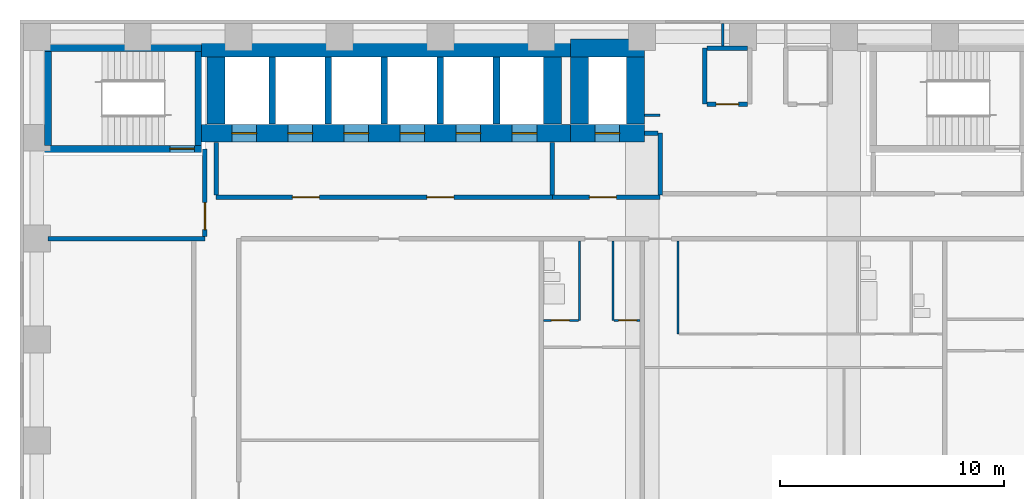
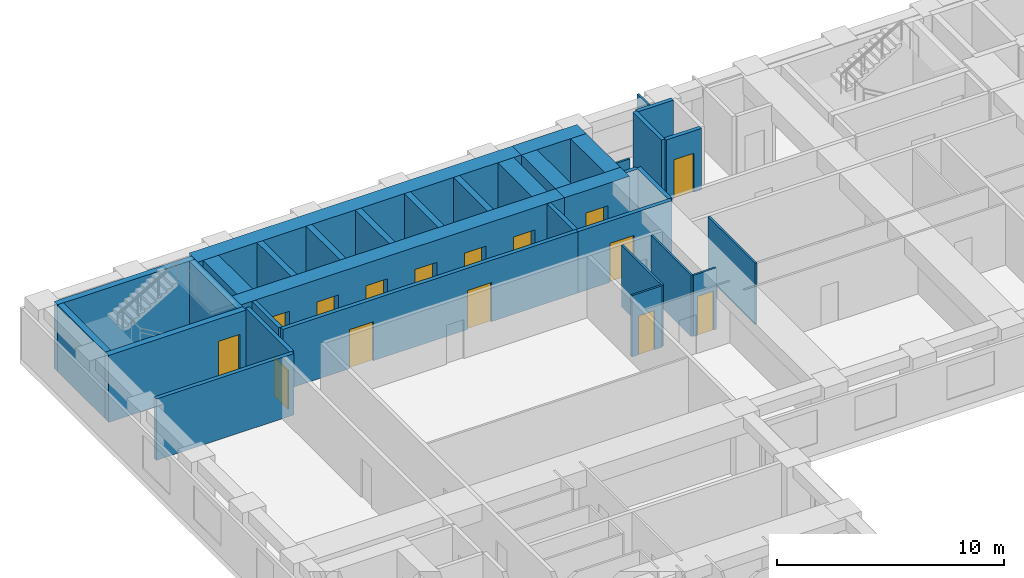
# One storey, part 5 of 11: 35 walls, 15 doors, 15 openings.
"""IFC4 building model written with IfcOpenShell, lengths in metres."""

from ifc_helpers import new_model, si_unit, direction, frame, frame_2d, origin, place, context, subcontext, project, spatial, rectangle, extrude, material, layer, layer_set, type_object, element, fill, save


model = new_model("IFC4")

# Units and contexts
model_context = context("Model", 3, precision=1e-05, world=origin(), true_north=direction((0.0, 1.0)))
body_context = subcontext(model_context, "Body", "Model", "MODEL_VIEW")
ifc_project = project(units=[si_unit("LENGTHUNIT", "METRE"), si_unit("AREAUNIT", "SQUARE_METRE"), si_unit("VOLUMEUNIT", "CUBIC_METRE"), si_unit("PLANEANGLEUNIT", "RADIAN"), si_unit("MASSUNIT", "GRAM", prefix="KILO")], contexts=[model_context])

# Site, building, storey
site_placement = place(None, origin())
site = spatial("IfcSite", under=ifc_project, at=site_placement, CompositionType="ELEMENT")
building_placement = place(site_placement, origin())
building = spatial("IfcBuilding", under=site, at=building_placement, Name="Firuza Court", CompositionType="ELEMENT")
storey_placement = place(building_placement, frame((0.0, 0.0, 61.39990234375)))
storey = spatial("IfcBuildingStorey", under=building, at=storey_placement, Name="L14", CompositionType="ELEMENT", Elevation=61.39990234375)

# Wall
ifc_material_1 = material(Name="Moisture-resistant gypsum board partition")
ifc_layer_1 = layer(ifc_material_1, 0.10009765625)
ifc_layer_set_1 = layer_set([ifc_layer_1], Name="Moisture-resistant gypsum board partition")
wall_type_1 = type_object("IfcWallType", Name="Bathroom partition 100", PredefinedType="PLUMBINGWALL", material=ifc_layer_set_1)
wall_1_placement = place(storey_placement, frame((24.199951171875, 45.85009765625, 0.0), z_axis=(0.0, 0.0, 1.0), x_axis=(0.0, 1.0, 0.0)))
element("IfcWall", 1, at=wall_1_placement, inside=storey, type_object=wall_type_1, Name="Bathroom partition 100 L14", PredefinedType="PLUMBINGWALL", context=body_context, shape_type="SweptSolid", body=[
    extrude(rectangle(XDim=3.5498046875, YDim=0.10009765625, at=frame_2d((1.77490234375, 0.0))), origin(), (0.0, 0.0, 1.0), 3.300048828125),
])

# Wall, opening, door
ifc_material_2 = material(Name="Concrete C60/75", Category="concrete")
ifc_layer_2 = layer(ifc_material_2, 0.300048828125)
ifc_layer_set_2 = layer_set([ifc_layer_2], Name="Concrete C60/75")
wall_type_2 = type_object("IfcWallType", Name="Core wall 300 C60/75", PredefinedType="SHEAR", material=ifc_layer_set_2)
wall_2_placement = place(storey_placement, frame((0.35009765625, 53.5, -0.2998046875), z_axis=(0.0, 0.0, 1.0), x_axis=(1.0, 0.0, 0.0)))
wall_2 = element("IfcWall", 2, at=wall_2_placement, inside=storey, type_object=wall_type_2, Name="Core wall stair L14", PredefinedType="SHEAR", context=body_context, shape_type="SweptSolid", body=[
    extrude(rectangle(XDim=7.0, YDim=0.300048828125, at=frame_2d((3.5, 0.0))), origin(), (0.0, 0.0, 1.0), 3.599853515625),
])
opening_1_placement = place(wall_2_placement, frame((5.580078125, 0.0, 0.300048828125)))
opening_1 = element("IfcOpeningElement", 3, at=opening_1_placement, cuts=wall_2, Name="Opening D14016", PredefinedType="OPENING", context=body_context, shape_type="SweptSolid", body=[
    extrude(rectangle(XDim=1.10009765625, YDim=2.10009765625, at=frame_2d((0.550048828125, 1.050048828125))), frame((0.0, 0.162109375, 0.0), z_axis=(0.0, -1.0, 0.0), x_axis=(1.0, 0.0, 0.0)), (0.0, 0.0, 1.0), 0.323974609375),
])
ifc_material_3 = material(Name="Timber door leaf in hardwood frame", Category="wood")
door_type_1 = type_object("IfcDoorType", Name="Stair door 1100", OperationType="SINGLE_SWING_LEFT", PredefinedType="DOOR", material=ifc_material_3)
door_1_placement = place(opening_1_placement, origin())
door_1 = element("IfcDoor", 4, at=door_1_placement, inside=storey, type_object=door_type_1, Name="Stair door S3", OperationType="SINGLE_SWING_RIGHT", OverallHeight=2.10009765625, OverallWidth=1.10009765625, PredefinedType="DOOR", context=body_context, shape_type="SweptSolid", body=[
    extrude(rectangle(XDim=1.10009765625, YDim=2.10009765625, at=frame_2d((0.550048828125, 1.050048828125))), frame((0.0, 0.02490234375, 0.0), z_axis=(0.0, -1.0, 0.0), x_axis=(1.0, 0.0, 0.0)), (0.0, 0.0, 1.0), 0.050048828125),
])
fill(opening_1, door_1)

# Walls
wall_3_placement = place(storey_placement, frame((0.35009765625, 58.0, -0.2998046875), z_axis=(0.0, 0.0, 1.0), x_axis=(1.0, 0.0, 0.0)))
element("IfcWall", 5, at=wall_3_placement, inside=storey, type_object=wall_type_2, Name="Core wall stair L14", PredefinedType="SHEAR", context=body_context, shape_type="SweptSolid", body=[
    extrude(rectangle(XDim=7.0, YDim=0.300048828125, at=frame_2d((3.5, 0.0))), origin(), (0.0, 0.0, 1.0), 3.599853515625),
])
for number, where, z_axis, x_axis, name in (
    (6, (0.5, 53.64990234375, -0.2998046875), (0.0, 0.0, 1.0), (0.0, 1.0, 0.0), "Core wall stair L14"),
    (7, (7.199951171875, 53.64990234375, -0.2998046875), (0.0, 0.0, 1.0), (0.0, 1.0, 0.0), "Core wall stair L14"),
):
    element("IfcWall", number, at=place(storey_placement, frame(where, z_axis=z_axis, x_axis=x_axis)), inside=storey, type_object=wall_type_2, Name=name, PredefinedType="SHEAR", context=body_context, shape_type="SweptSolid", body=[
        extrude(rectangle(XDim=4.2001953125, YDim=0.300048828125, at=frame_2d((2.10009765625, 0.0))), origin(), (0.0, 0.0, 1.0), 3.599853515625),
    ])
for number, where, z_axis, x_axis, name in (
    (8, (10.5, 54.60009765625, -0.2998046875), (0.0, 0.0, 1.0), (0.0, 1.0, 0.0), "Core wall lift shaft L14"),
    (9, (13.0, 54.60009765625, -0.2998046875), (0.0, 0.0, 1.0), (0.0, 1.0, 0.0), "Core wall lift shaft L14"),
    (10, (15.5, 54.60009765625, -0.2998046875), (0.0, 0.0, 1.0), (0.0, 1.0, 0.0), "Core wall lift shaft L14"),
    (11, (18.0, 54.60009765625, -0.2998046875), (0.0, 0.0, 1.0), (0.0, 1.0, 0.0), "Core wall lift shaft L14"),
    (12, (20.5, 54.60009765625, -0.2998046875), (0.0, 0.0, 1.0), (0.0, 1.0, 0.0), "Core wall lift shaft L14"),
):
    element("IfcWall", number, at=place(storey_placement, frame(where, z_axis=z_axis, x_axis=x_axis)), inside=storey, type_object=wall_type_2, Name=name, PredefinedType="SHEAR", context=body_context, shape_type="SweptSolid", body=[
        extrude(rectangle(XDim=3.0, YDim=0.300048828125, at=frame_2d((1.5, 0.0))), origin(), (0.0, 0.0, 1.0), 3.599853515625),
    ])

# Wall, openings, doors
ifc_layer_3 = layer(ifc_material_2, 0.800048828125)
ifc_layer_set_3 = layer_set([ifc_layer_3], Name="Concrete C60/75")
wall_type_3 = type_object("IfcWallType", Name="Core wall 800 C60/75", PredefinedType="SHEAR", material=ifc_layer_set_3)
wall_4_placement = place(storey_placement, frame((7.35009765625, 54.199951171875, -0.2998046875), z_axis=(0.0, 0.0, 1.0), x_axis=(1.0, 0.0, 0.0)))
wall_4 = element("IfcWall", 13, at=wall_4_placement, inside=storey, type_object=wall_type_3, Name="Core wall lift shaft L14", PredefinedType="SHEAR", context=body_context, shape_type="SweptSolid", body=[
    extrude(rectangle(XDim=16.449951171875, YDim=0.800048828125, at=frame_2d((8.22509765625, 0.0))), origin(), (0.0, 0.0, 1.0), 3.599853515625),
])
opening_2_placement = place(wall_4_placement, frame((1.35009765625, 0.0, 0.300048828125)))
opening_2 = element("IfcOpeningElement", 14, at=opening_2_placement, cuts=wall_4, Name="Opening LD-LB1-14", PredefinedType="OPENING", context=body_context, shape_type="SweptSolid", body=[
    extrude(rectangle(XDim=1.10009765625, YDim=2.10009765625, at=frame_2d((0.550048828125, 1.050048828125))), frame((0.0, 0.412109375, 0.0), z_axis=(0.0, -1.0, 0.0), x_axis=(1.0, 0.0, 0.0)), (0.0, 0.0, 1.0), 0.823974609375),
])
opening_3_placement = place(wall_4_placement, frame((3.85009765625, 0.0, 0.300048828125)))
opening_3 = element("IfcOpeningElement", 15, at=opening_3_placement, cuts=wall_4, Name="Opening LD-LB2-14", PredefinedType="OPENING", context=body_context, shape_type="SweptSolid", body=[
    extrude(rectangle(XDim=1.10009765625, YDim=2.10009765625, at=frame_2d((0.550048828125, 1.050048828125))), frame((0.0, 0.412109375, 0.0), z_axis=(0.0, -1.0, 0.0), x_axis=(1.0, 0.0, 0.0)), (0.0, 0.0, 1.0), 0.823974609375),
])
opening_4_placement = place(wall_4_placement, frame((6.35009765625, 0.0, 0.300048828125)))
opening_4 = element("IfcOpeningElement", 16, at=opening_4_placement, cuts=wall_4, Name="Opening LD-LB3-14", PredefinedType="OPENING", context=body_context, shape_type="SweptSolid", body=[
    extrude(rectangle(XDim=1.10009765625, YDim=2.10009765625, at=frame_2d((0.550048828125, 1.050048828125))), frame((0.0, 0.412109375, 0.0), z_axis=(0.0, -1.0, 0.0), x_axis=(1.0, 0.0, 0.0)), (0.0, 0.0, 1.0), 0.823974609375),
])
opening_5_placement = place(wall_4_placement, frame((8.85009765625, 0.0, 0.300048828125)))
opening_5 = element("IfcOpeningElement", 17, at=opening_5_placement, cuts=wall_4, Name="Opening LD-LB4-14", PredefinedType="OPENING", context=body_context, shape_type="SweptSolid", body=[
    extrude(rectangle(XDim=1.10009765625, YDim=2.10009765625, at=frame_2d((0.550048828125, 1.050048828125))), frame((0.0, 0.412109375, 0.0), z_axis=(0.0, -1.0, 0.0), x_axis=(1.0, 0.0, 0.0)), (0.0, 0.0, 1.0), 0.823974609375),
])
opening_6_placement = place(wall_4_placement, frame((11.35009765625, 0.0, 0.300048828125)))
opening_6 = element("IfcOpeningElement", 18, at=opening_6_placement, cuts=wall_4, Name="Opening LD-LB5-14", PredefinedType="OPENING", context=body_context, shape_type="SweptSolid", body=[
    extrude(rectangle(XDim=1.10009765625, YDim=2.10009765625, at=frame_2d((0.550048828125, 1.050048828125))), frame((0.0, 0.412109375, 0.0), z_axis=(0.0, -1.0, 0.0), x_axis=(1.0, 0.0, 0.0)), (0.0, 0.0, 1.0), 0.823974609375),
])
opening_7_placement = place(wall_4_placement, frame((13.85009765625, 0.0, 0.300048828125)))
opening_7 = element("IfcOpeningElement", 19, at=opening_7_placement, cuts=wall_4, Name="Opening LD-LB6-14", PredefinedType="OPENING", context=body_context, shape_type="SweptSolid", body=[
    extrude(rectangle(XDim=1.10009765625, YDim=2.10009765625, at=frame_2d((0.550048828125, 1.050048828125))), frame((0.0, 0.412109375, 0.0), z_axis=(0.0, -1.0, 0.0), x_axis=(1.0, 0.0, 0.0)), (0.0, 0.0, 1.0), 0.823974609375),
])
ifc_material_4 = material(Name="Stainless steel 1.4301 door leaf", Category="steel")
door_type_2 = type_object("IfcDoorType", Name="Lift landing door 1100", OperationType="SLIDING_TO_LEFT", PredefinedType="DOOR", material=ifc_material_4)
door_2_placement = place(opening_2_placement, origin())
door_2 = element("IfcDoor", 20, at=door_2_placement, inside=storey, type_object=door_type_2, Name="Landing door LB1", OperationType="SLIDING_TO_LEFT", OverallHeight=2.10009765625, OverallWidth=1.10009765625, PredefinedType="DOOR", context=body_context, shape_type="SweptSolid", body=[
    extrude(rectangle(XDim=1.10009765625, YDim=2.10009765625, at=frame_2d((0.550048828125, 1.050048828125))), frame((0.0, 0.02490234375, 0.0), z_axis=(0.0, -1.0, 0.0), x_axis=(1.0, 0.0, 0.0)), (0.0, 0.0, 1.0), 0.050048828125),
])
fill(opening_2, door_2)
door_3_placement = place(opening_3_placement, origin())
door_3 = element("IfcDoor", 21, at=door_3_placement, inside=storey, type_object=door_type_2, Name="Landing door LB2", OperationType="SLIDING_TO_LEFT", OverallHeight=2.10009765625, OverallWidth=1.10009765625, PredefinedType="DOOR", context=body_context, shape_type="SweptSolid", body=[
    extrude(rectangle(XDim=1.10009765625, YDim=2.10009765625, at=frame_2d((0.550048828125, 1.050048828125))), frame((0.0, 0.02490234375, 0.0), z_axis=(0.0, -1.0, 0.0), x_axis=(1.0, 0.0, 0.0)), (0.0, 0.0, 1.0), 0.050048828125),
])
fill(opening_3, door_3)
door_4_placement = place(opening_4_placement, origin())
door_4 = element("IfcDoor", 22, at=door_4_placement, inside=storey, type_object=door_type_2, Name="Landing door LB3", OperationType="SLIDING_TO_LEFT", OverallHeight=2.10009765625, OverallWidth=1.10009765625, PredefinedType="DOOR", context=body_context, shape_type="SweptSolid", body=[
    extrude(rectangle(XDim=1.10009765625, YDim=2.10009765625, at=frame_2d((0.550048828125, 1.050048828125))), frame((0.0, 0.02490234375, 0.0), z_axis=(0.0, -1.0, 0.0), x_axis=(1.0, 0.0, 0.0)), (0.0, 0.0, 1.0), 0.050048828125),
])
fill(opening_4, door_4)
door_5_placement = place(opening_5_placement, origin())
door_5 = element("IfcDoor", 23, at=door_5_placement, inside=storey, type_object=door_type_2, Name="Landing door LB4", OperationType="SLIDING_TO_LEFT", OverallHeight=2.10009765625, OverallWidth=1.10009765625, PredefinedType="DOOR", context=body_context, shape_type="SweptSolid", body=[
    extrude(rectangle(XDim=1.10009765625, YDim=2.10009765625, at=frame_2d((0.550048828125, 1.050048828125))), frame((0.0, 0.02490234375, 0.0), z_axis=(0.0, -1.0, 0.0), x_axis=(1.0, 0.0, 0.0)), (0.0, 0.0, 1.0), 0.050048828125),
])
fill(opening_5, door_5)
door_6_placement = place(opening_6_placement, origin())
door_6 = element("IfcDoor", 24, at=door_6_placement, inside=storey, type_object=door_type_2, Name="Landing door LB5", OperationType="SLIDING_TO_LEFT", OverallHeight=2.10009765625, OverallWidth=1.10009765625, PredefinedType="DOOR", context=body_context, shape_type="SweptSolid", body=[
    extrude(rectangle(XDim=1.10009765625, YDim=2.10009765625, at=frame_2d((0.550048828125, 1.050048828125))), frame((0.0, 0.02490234375, 0.0), z_axis=(0.0, -1.0, 0.0), x_axis=(1.0, 0.0, 0.0)), (0.0, 0.0, 1.0), 0.050048828125),
])
fill(opening_6, door_6)
door_7_placement = place(opening_7_placement, origin())
door_7 = element("IfcDoor", 25, at=door_7_placement, inside=storey, type_object=door_type_2, Name="Landing door LB6", OperationType="SLIDING_TO_LEFT", OverallHeight=2.10009765625, OverallWidth=1.10009765625, PredefinedType="DOOR", context=body_context, shape_type="SweptSolid", body=[
    extrude(rectangle(XDim=1.10009765625, YDim=2.10009765625, at=frame_2d((0.550048828125, 1.050048828125))), frame((0.0, 0.02490234375, 0.0), z_axis=(0.0, -1.0, 0.0), x_axis=(1.0, 0.0, 0.0)), (0.0, 0.0, 1.0), 0.050048828125),
])
fill(opening_7, door_7)

# Walls
wall_5_placement = place(storey_placement, frame((7.35009765625, 58.0, -0.2998046875), z_axis=(0.0, 0.0, 1.0), x_axis=(1.0, 0.0, 0.0)))
element("IfcWall", 26, at=wall_5_placement, inside=storey, type_object=wall_type_3, Name="Core wall lift shaft L14", PredefinedType="SHEAR", context=body_context, shape_type="SweptSolid", body=[
    extrude(rectangle(XDim=16.449951171875, YDim=0.800048828125, at=frame_2d((8.22509765625, 0.0))), origin(), (0.0, 0.0, 1.0), 3.599853515625),
])
for number, where, z_axis, x_axis, name in (
    (27, (8.0, 54.60009765625, -0.2998046875), (0.0, 0.0, 1.0), (0.0, 1.0, 0.0), "Core wall lift shaft L14"),
    (28, (23.0, 54.60009765625, -0.2998046875), (0.0, 0.0, 1.0), (0.0, 1.0, 0.0), "Core wall lift shaft L14"),
):
    element("IfcWall", number, at=place(storey_placement, frame(where, z_axis=z_axis, x_axis=x_axis)), inside=storey, type_object=wall_type_3, Name=name, PredefinedType="SHEAR", context=body_context, shape_type="SweptSolid", body=[
        extrude(rectangle(XDim=3.0, YDim=0.800048828125, at=frame_2d((1.5, 0.0))), origin(), (0.0, 0.0, 1.0), 3.599853515625),
    ])

# Wall, opening, door
wall_6_placement = place(storey_placement, frame((23.800048828125, 54.199951171875, -0.2998046875), z_axis=(0.0, 0.0, 1.0), x_axis=(1.0, 0.0, 0.0)))
wall_6 = element("IfcWall", 29, at=wall_6_placement, inside=storey, type_object=wall_type_3, Name="Core wall lift shaft L14", PredefinedType="SHEAR", context=body_context, shape_type="SweptSolid", body=[
    extrude(rectangle(XDim=3.300048828125, YDim=0.800048828125, at=frame_2d((1.64990234375, 0.0))), origin(), (0.0, 0.0, 1.0), 3.599853515625),
])
opening_8_placement = place(wall_6_placement, frame((1.10009765625, 0.0, 0.300048828125)))
opening_8 = element("IfcOpeningElement", 30, at=opening_8_placement, cuts=wall_6, Name="Opening LD-FL3-14", PredefinedType="OPENING", context=body_context, shape_type="SweptSolid", body=[
    extrude(rectangle(XDim=1.10009765625, YDim=2.10009765625, at=frame_2d((0.550048828125, 1.050048828125))), frame((0.0, 0.412109375, 0.0), z_axis=(0.0, -1.0, 0.0), x_axis=(1.0, 0.0, 0.0)), (0.0, 0.0, 1.0), 0.823974609375),
])
door_8_placement = place(opening_8_placement, origin())
door_8 = element("IfcDoor", 31, at=door_8_placement, inside=storey, type_object=door_type_2, Name="Landing door FL3", OperationType="SLIDING_TO_LEFT", OverallHeight=2.10009765625, OverallWidth=1.10009765625, PredefinedType="DOOR", context=body_context, shape_type="SweptSolid", body=[
    extrude(rectangle(XDim=1.10009765625, YDim=2.10009765625, at=frame_2d((0.550048828125, 1.050048828125))), frame((0.0, 0.02490234375, 0.0), z_axis=(0.0, -1.0, 0.0), x_axis=(1.0, 0.0, 0.0)), (0.0, 0.0, 1.0), 0.050048828125),
])
fill(opening_8, door_8)

# Walls
wall_7_placement = place(storey_placement, frame((23.800048828125, 58.0, -0.2998046875), z_axis=(0.0, 0.0, 1.0), x_axis=(1.0, 0.0, 0.0)))
element("IfcWall", 32, at=wall_7_placement, inside=storey, type_object=wall_type_3, Name="Core wall lift shaft L14", PredefinedType="SHEAR", context=body_context, shape_type="SweptSolid", body=[
    extrude(rectangle(XDim=3.300048828125, YDim=0.800048828125, at=frame_2d((1.64990234375, 0.0))), origin(), (0.0, 0.0, 1.0), 3.599853515625),
])
for number, where, z_axis, x_axis, name in (
    (33, (24.199951171875, 54.60009765625, -0.2998046875), (0.0, 0.0, 1.0), (0.0, 1.0, 0.0), "Core wall lift shaft L14"),
    (34, (26.699951171875, 54.60009765625, -0.2998046875), (0.0, 0.0, 1.0), (0.0, 1.0, 0.0), "Core wall lift shaft L14"),
):
    element("IfcWall", number, at=place(storey_placement, frame(where, z_axis=z_axis, x_axis=x_axis)), inside=storey, type_object=wall_type_3, Name=name, PredefinedType="SHEAR", context=body_context, shape_type="SweptSolid", body=[
        extrude(rectangle(XDim=3.0, YDim=0.800048828125, at=frame_2d((1.5, 0.0))), origin(), (0.0, 0.0, 1.0), 3.599853515625),
    ])
ifc_material_5 = material(Name="Timber stud partition, plasterboard both sides", Category="wood")
ifc_layer_4 = layer(ifc_material_5, 0.10009765625)
ifc_layer_set_4 = layer_set([ifc_layer_4], Name="Timber stud partition, plasterboard both sides")
wall_type_4 = type_object("IfcWallType", Name="Partition wall 100", PredefinedType="PARTITIONING", material=ifc_layer_set_4)
wall_8_placement = place(storey_placement, frame((28.60009765625, 45.25, 0.0), z_axis=(0.0, 0.0, 1.0), x_axis=(0.0, 1.0, 0.0)))
element("IfcWall", 35, at=wall_8_placement, inside=storey, type_object=wall_type_4, Name="Partition wall 100 L14", PredefinedType="PARTITIONING", context=body_context, shape_type="SweptSolid", body=[
    extrude(rectangle(XDim=4.14990234375, YDim=0.10009765625, at=frame_2d((2.074951171875, 0.0))), origin(), (0.0, 0.0, 1.0), 3.300048828125),
])

# Wall, opening, door
wall_9_placement = place(storey_placement, frame((22.60009765625, 45.85009765625, 0.0), z_axis=(0.0, 0.0, 1.0), x_axis=(1.0, 0.0, 0.0)))
wall_9 = element("IfcWall", 36, at=wall_9_placement, inside=storey, type_object=wall_type_4, Name="Partition wall 100 L14", PredefinedType="PARTITIONING", context=body_context, shape_type="SweptSolid", body=[
    extrude(rectangle(XDim=1.5498046875, YDim=0.10009765625, at=frame_2d((0.77490234375, 0.0))), origin(), (0.0, 0.0, 1.0), 3.300048828125),
])
opening_9_placement = place(wall_9_placement, frame((0.35009765625, 0.0, 0.0)))
opening_9 = element("IfcOpeningElement", 37, at=opening_9_placement, cuts=wall_9, Name="Opening D14057", PredefinedType="OPENING", context=body_context, shape_type="SweptSolid", body=[
    extrude(rectangle(XDim=0.800048828125, YDim=2.10009765625, at=frame_2d((0.39990234375, 1.050048828125))), frame((0.0, 0.06201171875, 0.0), z_axis=(0.0, -1.0, 0.0), x_axis=(1.0, 0.0, 0.0)), (0.0, 0.0, 1.0), 0.1240234375),
])
ifc_material_6 = material(Name="Timber door leaf in hardwood frame", Category="wood")
door_type_3 = type_object("IfcDoorType", Name="Bathroom door 800", OperationType="SINGLE_SWING_LEFT", PredefinedType="DOOR", material=ifc_material_6)
door_9_placement = place(opening_9_placement, origin())
door_9 = element("IfcDoor", 38, at=door_9_placement, inside=storey, type_object=door_type_3, Name="Bathroom door", OperationType="SINGLE_SWING_LEFT", OverallHeight=2.10009765625, OverallWidth=0.800048828125, PredefinedType="DOOR", context=body_context, shape_type="SweptSolid", body=[
    extrude(rectangle(XDim=0.800048828125, YDim=2.10009765625, at=frame_2d((0.39990234375, 1.050048828125))), frame((0.0, 0.02490234375, 0.0), z_axis=(0.0, -1.0, 0.0), x_axis=(1.0, 0.0, 0.0)), (0.0, 0.0, 1.0), 0.050048828125),
])
fill(opening_9, door_9)

# Wall
wall_10_placement = place(storey_placement, frame((25.699951171875, 45.85009765625, 0.0), z_axis=(0.0, 0.0, 1.0), x_axis=(0.0, 1.0, 0.0)))
element("IfcWall", 39, at=wall_10_placement, inside=storey, type_object=wall_type_4, Name="Partition wall 100 L14", PredefinedType="PARTITIONING", context=body_context, shape_type="SweptSolid", body=[
    extrude(rectangle(XDim=3.5498046875, YDim=0.10009765625, at=frame_2d((1.77490234375, 0.0))), origin(), (0.0, 0.0, 1.0), 3.300048828125),
])

# Wall, opening, door
wall_11_placement = place(storey_placement, frame((25.75, 45.85009765625, 0.0), z_axis=(0.0, 0.0, 1.0), x_axis=(1.0, 0.0, 0.0)))
wall_11 = element("IfcWall", 40, at=wall_11_placement, inside=storey, type_object=wall_type_4, Name="Partition wall 100 L14", PredefinedType="PARTITIONING", context=body_context, shape_type="SweptSolid", body=[
    extrude(rectangle(XDim=1.14990234375, YDim=0.10009765625, at=frame_2d((0.574951171875, 0.0))), origin(), (0.0, 0.0, 1.0), 3.300048828125),
])
opening_10_placement = place(wall_11_placement, frame((0.199951171875, 0.0, 0.0)))
opening_10 = element("IfcOpeningElement", 41, at=opening_10_placement, cuts=wall_11, Name="Opening D14058", PredefinedType="OPENING", context=body_context, shape_type="SweptSolid", body=[
    extrude(rectangle(XDim=0.800048828125, YDim=2.10009765625, at=frame_2d((0.39990234375, 1.050048828125))), frame((0.0, 0.06201171875, 0.0), z_axis=(0.0, -1.0, 0.0), x_axis=(1.0, 0.0, 0.0)), (0.0, 0.0, 1.0), 0.1240234375),
])
ifc_material_7 = material(Name="Timber door leaf in hardwood frame", Category="wood")
door_type_4 = type_object("IfcDoorType", Name="Room door 800", OperationType="SINGLE_SWING_LEFT", PredefinedType="DOOR", material=ifc_material_7)
door_10_placement = place(opening_10_placement, origin())
door_10 = element("IfcDoor", 42, at=door_10_placement, inside=storey, type_object=door_type_4, Name="Kitchen door", OperationType="SINGLE_SWING_LEFT", OverallHeight=2.10009765625, OverallWidth=0.800048828125, PredefinedType="DOOR", context=body_context, shape_type="SweptSolid", body=[
    extrude(rectangle(XDim=0.800048828125, YDim=2.10009765625, at=frame_2d((0.39990234375, 1.050048828125))), frame((0.0, 0.02490234375, 0.0), z_axis=(0.0, -1.0, 0.0), x_axis=(1.0, 0.0, 0.0)), (0.0, 0.0, 1.0), 0.050048828125),
])
fill(opening_10, door_10)

# Walls
wall_12_placement = place(storey_placement, frame((27.10009765625, 55.0, 0.0), z_axis=(0.0, 0.0, 1.0), x_axis=(1.0, 0.0, 0.0)))
element("IfcWall", 43, at=wall_12_placement, inside=storey, type_object=wall_type_4, Name="Partition wall 100 L14", PredefinedType="PARTITIONING", context=body_context, shape_type="SweptSolid", body=[
    extrude(rectangle(XDim=0.699951171875, YDim=0.10009765625, at=frame_2d((0.35009765625, 0.0))), origin(), (0.0, 0.0, 1.0), 3.300048828125),
])
wall_13_placement = place(storey_placement, frame((30.60009765625, 58.10009765625, 0.0), z_axis=(0.0, 0.0, 1.0), x_axis=(0.0, 1.0, 0.0)))
element("IfcWall", 44, at=wall_13_placement, inside=storey, type_object=wall_type_4, Name="Partition wall 100 L14", PredefinedType="PARTITIONING", context=body_context, shape_type="SweptSolid", body=[
    extrude(rectangle(XDim=1.0, YDim=0.10009765625, at=frame_2d((0.5, 0.0))), origin(), (0.0, 0.0, 1.0), 3.300048828125),
])
ifc_material_8 = material(Name="Blockwork, fire-rated", Category="masonry")
ifc_layer_5 = layer(ifc_material_8, 0.199951171875)
ifc_layer_set_5 = layer_set([ifc_layer_5], Name="Blockwork, fire-rated")
wall_type_5 = type_object("IfcWallType", Name="Plant room wall 200", PredefinedType="PARTITIONING", material=ifc_layer_set_5)
wall_14_placement = place(storey_placement, frame((29.800048828125, 55.5, 0.0), z_axis=(0.0, 0.0, 1.0), x_axis=(0.0, 1.0, 0.0)))
element("IfcWall", 45, at=wall_14_placement, inside=storey, type_object=wall_type_5, Name="Plant room wall 200 L14", PredefinedType="PARTITIONING", context=body_context, shape_type="SweptSolid", body=[
    extrude(rectangle(XDim=2.5, YDim=0.199951171875, at=frame_2d((1.25, 0.0))), origin(), (0.0, 0.0, 1.0), 3.300048828125),
])

# Wall, opening, door
wall_15_placement = place(storey_placement, frame((29.89990234375, 55.5, 0.0), z_axis=(0.0, 0.0, 1.0), x_axis=(1.0, 0.0, 0.0)))
wall_15 = element("IfcWall", 46, at=wall_15_placement, inside=storey, type_object=wall_type_5, Name="Plant room wall 200 L14", PredefinedType="PARTITIONING", context=body_context, shape_type="SweptSolid", body=[
    extrude(rectangle(XDim=1.800048828125, YDim=0.199951171875, at=frame_2d((0.89990234375, 0.0))), origin(), (0.0, 0.0, 1.0), 3.300048828125),
])
opening_11_placement = place(wall_15_placement, frame((0.39990234375, 0.0, 0.0)))
opening_11 = element("IfcOpeningElement", 47, at=opening_11_placement, cuts=wall_15, Name="Opening D14075", PredefinedType="OPENING", context=body_context, shape_type="SweptSolid", body=[
    extrude(rectangle(XDim=1.0, YDim=2.10009765625, at=frame_2d((0.5, 1.050048828125))), frame((0.0, 0.11181640625, 0.0), z_axis=(0.0, -1.0, 0.0), x_axis=(1.0, 0.0, 0.0)), (0.0, 0.0, 1.0), 0.223876953125),
])
ifc_material_9 = material(Name="Timber door leaf in hardwood frame", Category="wood")
door_type_5 = type_object("IfcDoorType", Name="Riser door 1000", OperationType="SINGLE_SWING_LEFT", PredefinedType="DOOR", material=ifc_material_9)
door_11_placement = place(opening_11_placement, origin())
door_11 = element("IfcDoor", 48, at=door_11_placement, inside=storey, type_object=door_type_5, Name="Electrical riser door", OperationType="SINGLE_SWING_LEFT", OverallHeight=2.10009765625, OverallWidth=1.0, PredefinedType="DOOR", context=body_context, shape_type="SweptSolid", body=[
    extrude(rectangle(XDim=1.0, YDim=2.10009765625, at=frame_2d((0.5, 1.050048828125))), frame((0.0, 0.02490234375, 0.0), z_axis=(0.0, -1.0, 0.0), x_axis=(1.0, 0.0, 0.0)), (0.0, 0.0, 1.0), 0.050048828125),
])
fill(opening_11, door_11)

# Wall
wall_16_placement = place(storey_placement, frame((29.89990234375, 58.0, 0.0), z_axis=(0.0, 0.0, 1.0), x_axis=(1.0, 0.0, 0.0)))
element("IfcWall", 49, at=wall_16_placement, inside=storey, type_object=wall_type_5, Name="Plant room wall 200 L14", PredefinedType="PARTITIONING", context=body_context, shape_type="SweptSolid", body=[
    extrude(rectangle(XDim=1.800048828125, YDim=0.199951171875, at=frame_2d((0.89990234375, 0.0))), origin(), (0.0, 0.0, 1.0), 3.300048828125),
])

# Wall, openings, doors
ifc_layer_6 = layer(ifc_material_8, 0.199951171875)
ifc_layer_set_6 = layer_set([ifc_layer_6], Name="Blockwork, fire-rated")
wall_type_6 = type_object("IfcWallType", Name="Shaft wall 200", PredefinedType="PARTITIONING", material=ifc_layer_set_6)
wall_17_placement = place(storey_placement, frame((8.0, 51.35009765625, 0.0), z_axis=(0.0, 0.0, 1.0), x_axis=(1.0, 0.0, 0.0)))
wall_17 = element("IfcWall", 50, at=wall_17_placement, inside=storey, type_object=wall_type_6, Name="Shaft wall 200 L14", PredefinedType="PARTITIONING", context=body_context, shape_type="SweptSolid", body=[
    extrude(rectangle(XDim=15.0, YDim=0.199951171875, at=frame_2d((7.5, 0.0))), origin(), (0.0, 0.0, 1.0), 3.300048828125),
])
opening_12_placement = place(wall_17_placement, frame((3.39990234375, 0.0, 0.0)))
opening_12 = element("IfcOpeningElement", 51, at=opening_12_placement, cuts=wall_17, Name="Opening D14004", PredefinedType="OPENING", context=body_context, shape_type="SweptSolid", body=[
    extrude(rectangle(XDim=1.199951171875, YDim=2.10009765625, at=frame_2d((0.60009765625, 1.050048828125))), frame((0.0, 0.11181640625, 0.0), z_axis=(0.0, -1.0, 0.0), x_axis=(1.0, 0.0, 0.0)), (0.0, 0.0, 1.0), 0.223876953125),
])
opening_13_placement = place(wall_17_placement, frame((9.39990234375, 0.0, 0.0)))
opening_13 = element("IfcOpeningElement", 52, at=opening_13_placement, cuts=wall_17, Name="Opening D14005", PredefinedType="OPENING", context=body_context, shape_type="SweptSolid", body=[
    extrude(rectangle(XDim=1.199951171875, YDim=2.10009765625, at=frame_2d((0.60009765625, 1.050048828125))), frame((0.0, 0.11181640625, 0.0), z_axis=(0.0, -1.0, 0.0), x_axis=(1.0, 0.0, 0.0)), (0.0, 0.0, 1.0), 0.223876953125),
])
ifc_material_10 = material(Name="Timber door leaf in hardwood frame", Category="wood")
door_type_6 = type_object("IfcDoorType", Name="Lobby door 1200", OperationType="SINGLE_SWING_LEFT", PredefinedType="DOOR", material=ifc_material_10)
door_12_placement = place(opening_12_placement, origin())
door_12 = element("IfcDoor", 53, at=door_12_placement, inside=storey, type_object=door_type_6, Name="Lobby door", OperationType="SINGLE_SWING_LEFT", OverallHeight=2.10009765625, OverallWidth=1.199951171875, PredefinedType="DOOR", context=body_context, shape_type="SweptSolid", body=[
    extrude(rectangle(XDim=1.199951171875, YDim=2.10009765625, at=frame_2d((0.60009765625, 1.050048828125))), frame((0.0, 0.02490234375, 0.0), z_axis=(0.0, -1.0, 0.0), x_axis=(1.0, 0.0, 0.0)), (0.0, 0.0, 1.0), 0.050048828125),
])
fill(opening_12, door_12)
door_13_placement = place(opening_13_placement, origin())
door_13 = element("IfcDoor", 54, at=door_13_placement, inside=storey, type_object=door_type_6, Name="Lobby door", OperationType="SINGLE_SWING_RIGHT", OverallHeight=2.10009765625, OverallWidth=1.199951171875, PredefinedType="DOOR", context=body_context, shape_type="SweptSolid", body=[
    extrude(rectangle(XDim=1.199951171875, YDim=2.10009765625, at=frame_2d((0.60009765625, 1.050048828125))), frame((0.0, 0.02490234375, 0.0), z_axis=(0.0, -1.0, 0.0), x_axis=(1.0, 0.0, 0.0)), (0.0, 0.0, 1.0), 0.050048828125),
])
fill(opening_13, door_13)

# Walls
for number, where, z_axis, x_axis, name in (
    (55, (23.0, 51.449951171875, 0.0), (0.0, 0.0, 1.0), (0.0, 1.0, 0.0), "Shaft wall 200 L14"),
    (56, (8.0, 51.449951171875, 0.0), (0.0, 0.0, 1.0), (0.0, 1.0, 0.0), "Shaft wall 200 L14"),
):
    element("IfcWall", number, at=place(storey_placement, frame(where, z_axis=z_axis, x_axis=x_axis)), inside=storey, type_object=wall_type_6, Name=name, PredefinedType="PARTITIONING", context=body_context, shape_type="SweptSolid", body=[
        extrude(rectangle(XDim=2.330078125, YDim=0.199951171875, at=frame_2d((1.1650390625, 0.0))), origin(), (0.0, 0.0, 1.0), 3.300048828125),
    ])

# Wall, opening, door
wall_18_placement = place(storey_placement, frame((23.0, 51.35009765625, 0.0), z_axis=(0.0, 0.0, 1.0), x_axis=(1.0, 0.0, 0.0)))
wall_18 = element("IfcWall", 57, at=wall_18_placement, inside=storey, type_object=wall_type_6, Name="Shaft wall 200 L14", PredefinedType="PARTITIONING", context=body_context, shape_type="SweptSolid", body=[
    extrude(rectangle(XDim=4.800048828125, YDim=0.199951171875, at=frame_2d((2.39990234375, 0.0))), origin(), (0.0, 0.0, 1.0), 3.300048828125),
])
opening_14_placement = place(wall_18_placement, frame((1.64990234375, 0.0, 0.0)))
opening_14 = element("IfcOpeningElement", 58, at=opening_14_placement, cuts=wall_18, Name="Opening D14003", PredefinedType="OPENING", context=body_context, shape_type="SweptSolid", body=[
    extrude(rectangle(XDim=1.199951171875, YDim=2.10009765625, at=frame_2d((0.60009765625, 1.050048828125))), frame((0.0, 0.11181640625, 0.0), z_axis=(0.0, -1.0, 0.0), x_axis=(1.0, 0.0, 0.0)), (0.0, 0.0, 1.0), 0.223876953125),
])
door_14_placement = place(opening_14_placement, origin())
door_14 = element("IfcDoor", 59, at=door_14_placement, inside=storey, type_object=door_type_6, Name="Fire-fighting lobby door", OperationType="SINGLE_SWING_LEFT", OverallHeight=2.10009765625, OverallWidth=1.199951171875, PredefinedType="DOOR", context=body_context, shape_type="SweptSolid", body=[
    extrude(rectangle(XDim=1.199951171875, YDim=2.10009765625, at=frame_2d((0.60009765625, 1.050048828125))), frame((0.0, 0.02490234375, 0.0), z_axis=(0.0, -1.0, 0.0), x_axis=(1.0, 0.0, 0.0)), (0.0, 0.0, 1.0), 0.050048828125),
])
fill(opening_14, door_14)

# Walls
wall_19_placement = place(storey_placement, frame((27.800048828125, 51.449951171875, 0.0), z_axis=(0.0, 0.0, 1.0), x_axis=(0.0, 1.0, 0.0)))
element("IfcWall", 60, at=wall_19_placement, inside=storey, type_object=wall_type_6, Name="Shaft wall 200 L14", PredefinedType="PARTITIONING", context=body_context, shape_type="SweptSolid", body=[
    extrude(rectangle(XDim=2.75, YDim=0.199951171875, at=frame_2d((1.375, 0.0))), origin(), (0.0, 0.0, 1.0), 3.300048828125),
])
wall_20_placement = place(storey_placement, frame((27.10009765625, 54.199951171875, 0.0), z_axis=(0.0, 0.0, 1.0), x_axis=(1.0, 0.0, 0.0)))
element("IfcWall", 61, at=wall_20_placement, inside=storey, type_object=wall_type_6, Name="Shaft wall 200 L14", PredefinedType="PARTITIONING", context=body_context, shape_type="SweptSolid", body=[
    extrude(rectangle(XDim=0.599853515625, YDim=0.199951171875, at=frame_2d((0.2998046875, 0.0))), origin(), (0.0, 0.0, 1.0), 3.300048828125),
])
wall_21_placement = place(storey_placement, frame((0.5, 49.5, 0.0), z_axis=(0.0, 0.0, 1.0), x_axis=(1.0, 0.0, 0.0)))
element("IfcWall", 62, at=wall_21_placement, inside=storey, type_object=wall_type_6, Name="Shaft wall 200 L14", PredefinedType="PARTITIONING", context=body_context, shape_type="SweptSolid", body=[
    extrude(rectangle(XDim=7.0, YDim=0.199951171875, at=frame_2d((3.5, 0.0))), origin(), (0.0, 0.0, 1.0), 3.300048828125),
])

# Wall, opening, door
wall_22_placement = place(storey_placement, frame((7.5, 49.60009765625, 0.0), z_axis=(0.0, 0.0, 1.0), x_axis=(0.0, 1.0, 0.0)))
wall_22 = element("IfcWall", 63, at=wall_22_placement, inside=storey, type_object=wall_type_6, Name="Shaft wall 200 L14", PredefinedType="PARTITIONING", context=body_context, shape_type="SweptSolid", body=[
    extrude(rectangle(XDim=3.89990234375, YDim=0.199951171875, at=frame_2d((1.949951171875, 0.0))), origin(), (0.0, 0.0, 1.0), 3.300048828125),
])
opening_15_placement = place(wall_22_placement, frame((0.300048828125, 0.0, 0.0)))
opening_15 = element("IfcOpeningElement", 64, at=opening_15_placement, cuts=wall_22, Name="Opening D14001", PredefinedType="OPENING", context=body_context, shape_type="SweptSolid", body=[
    extrude(rectangle(XDim=1.199951171875, YDim=2.10009765625, at=frame_2d((0.60009765625, 1.050048828125))), frame((0.0, 0.11181640625, 0.0), z_axis=(0.0, -1.0, 0.0), x_axis=(1.0, 0.0, 0.0)), (0.0, 0.0, 1.0), 0.223876953125),
])
door_15_placement = place(opening_15_placement, origin())
door_15 = element("IfcDoor", 65, at=door_15_placement, inside=storey, type_object=door_type_6, Name="Lobby door", OperationType="SINGLE_SWING_LEFT", OverallHeight=2.10009765625, OverallWidth=1.199951171875, PredefinedType="DOOR", context=body_context, shape_type="SweptSolid", body=[
    extrude(rectangle(XDim=1.199951171875, YDim=2.10009765625, at=frame_2d((0.60009765625, 1.050048828125))), frame((0.0, 0.02490234375, 0.0), z_axis=(0.0, -1.0, 0.0), x_axis=(1.0, 0.0, 0.0)), (0.0, 0.0, 1.0), 0.050048828125),
])
fill(opening_15, door_15)

save(model, "model.ifc")
